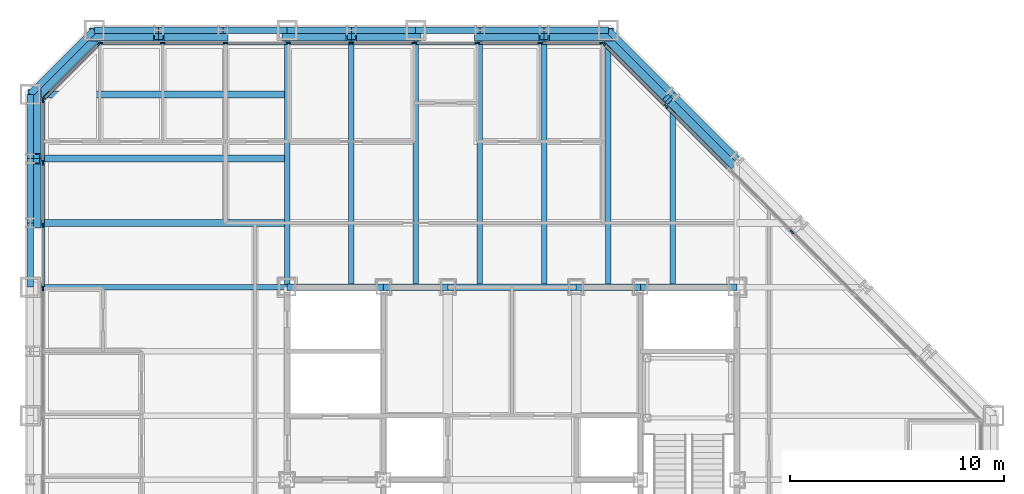
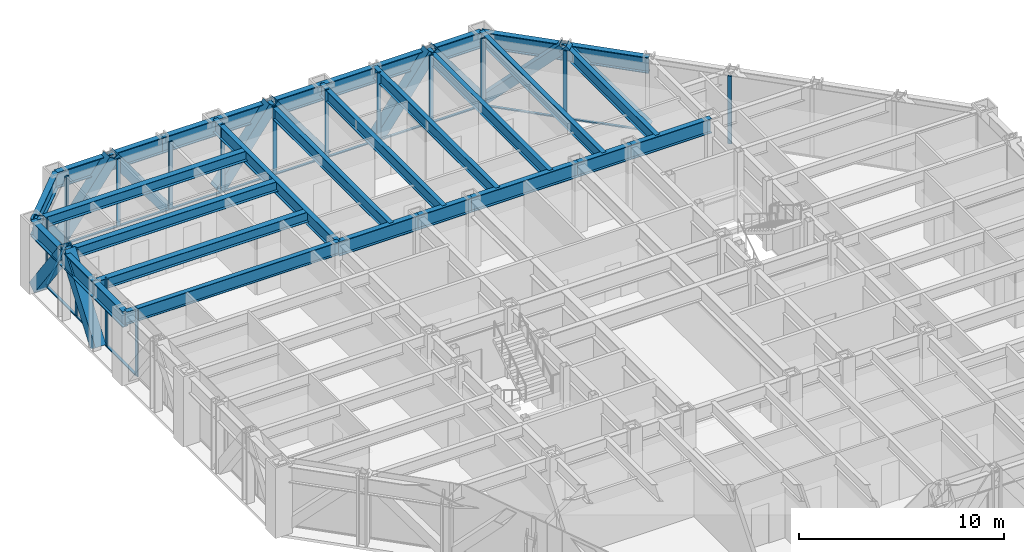
# One storey, part 7 of 16: 43 members, 30 beams, 4 elements without a shape of their own.
"""IFC4 building model written with IfcOpenShell, lengths in metres."""

from ifc_helpers import new_model, si_unit, direction, frame, origin, origin_2d, place, context, subcontext, project, spatial, rectangle, hollow_rectangle, i_section, extrude, material, layer, layer_set, material_profile, profile_set, type_object, element, aggregate, save


model = new_model("IFC4")

# Units and contexts
model_context = context("Model", 3, precision=1e-05, world=origin(), true_north=direction((0.0, 1.0)))
body_context = subcontext(model_context, "Body", "Model", "MODEL_VIEW")
ifc_project = project(units=[si_unit("LENGTHUNIT", "METRE"), si_unit("AREAUNIT", "SQUARE_METRE"), si_unit("VOLUMEUNIT", "CUBIC_METRE"), si_unit("PLANEANGLEUNIT", "RADIAN"), si_unit("MASSUNIT", "GRAM", prefix="KILO")], contexts=[model_context])

# Site, building, storey
site_placement = place(None, origin())
site = spatial("IfcSite", under=ifc_project, at=site_placement, CompositionType="ELEMENT")
building_placement = place(site_placement, origin())
building = spatial("IfcBuilding", under=site, at=building_placement, Name="Chuquiago Exchange Tower", CompositionType="ELEMENT")
storey_placement = place(building_placement, frame((0.0, 0.0, 111.0)))
storey = spatial("IfcBuildingStorey", under=building, at=storey_placement, Name="L23", CompositionType="ELEMENT", Elevation=111.0)

# Beams
ifc_material_1 = material(Name="Steel ASTM A992", Category="steel")
ifc_material_profile_1 = material_profile(ifc_material_1, i_section(OverallWidth=0.25390625, OverallDepth=0.683349609375, WebThickness=0.012451171875, FlangeThickness=0.018798828125, at=origin_2d()), Name="W27X94")
ifc_profile_set_1 = profile_set([ifc_material_profile_1], Name="Steel ASTM A992")
beam_type_1 = type_object("IfcBeamType", Name="B1 W27X94", PredefinedType="BEAM", material=ifc_profile_set_1)
for number, where, z_axis, x_axis, name in (
    (1, (15.0, 33.0, 3.698486328125), (0.0, 1.0, 0.0), (-1.0, 0.0, 0.0), "FB-L24-infill-15_33-15_45-0"),
    (2, (18.0, 33.0, 3.698486328125), (0.0, 1.0, 0.0), (-1.0, 0.0, 0.0), "FB-L24-infill-18_33-18_45-0"),
    (3, (21.0, 33.0, 3.698486328125), (0.0, 1.0, 0.0), (-1.0, 0.0, 0.0), "FB-L24-infill-21_33-21_45-0"),
    (4, (24.0, 33.0, 3.698486328125), (0.0, 1.0, 0.0), (-1.0, 0.0, 0.0), "FB-L24-infill-24_33-24_45-0"),
    (5, (27.0, 33.0, 3.698486328125), (0.0, 1.0, 0.0), (-1.0, 0.0, 0.0), "FB-L24-infill-27_33-27_45-0"),
):
    element("IfcBeam", number, at=place(storey_placement, frame(where, z_axis=z_axis, x_axis=x_axis)), inside=storey, type_object=beam_type_1, Name=name, PredefinedType="BEAM", context=body_context, shape_type="SweptSolid", body=[
        extrude(i_section(OverallWidth=0.25390625, OverallDepth=0.683349609375, WebThickness=0.012451171875, FlangeThickness=0.018798828125, at=origin_2d()), origin(), (0.0, 0.0, 1.0), 12.0),
    ])
beam_1_placement = place(storey_placement, frame((30.0, 33.0, 3.698486328125), z_axis=(0.0, 1.0, 0.0), x_axis=(-1.0, 0.0, 0.0)))
element("IfcBeam", 6, at=beam_1_placement, inside=storey, type_object=beam_type_1, Name="FB-L24-infill-30_33-30_42-0", PredefinedType="BEAM", context=body_context, shape_type="SweptSolid", body=[
    extrude(i_section(OverallWidth=0.25390625, OverallDepth=0.683349609375, WebThickness=0.012451171875, FlangeThickness=0.018798828125, at=origin_2d()), origin(), (0.0, 0.0, 1.0), 9.0),
])
ifc_material_2 = material(Name="Steel ASTM A992", Category="steel")
ifc_material_profile_2 = material_profile(ifc_material_2, i_section(OverallWidth=0.3251953125, OverallDepth=0.612060546875, WebThickness=0.0126953125, FlangeThickness=0.01904296875, at=origin_2d()), Name="W24X104")
ifc_profile_set_2 = profile_set([ifc_material_profile_2], Name="Steel ASTM A992")
beam_type_2 = type_object("IfcBeamType", Name="B2 W24X104", PredefinedType="BEAM", material=ifc_profile_set_2)
for number, where, z_axis, x_axis, name in (
    (7, (12.0, 36.0, 3.73388671875), (-1.0, 0.0, 0.0), (0.0, -1.0, 0.0), "FB-L24-corner-12_36--0_36-0"),
    (8, (12.0, 39.0, 3.73388671875), (-1.0, 0.0, 0.0), (0.0, -1.0, 0.0), "FB-L24-corner-12_39--0_39-0"),
    (9, (12.0, 42.0, 3.73388671875), (-1.0, 0.0, 0.0), (0.0, -1.0, 0.0), "FB-L24-corner-12_42--0_42-0"),
):
    element("IfcBeam", number, at=place(storey_placement, frame(where, z_axis=z_axis, x_axis=x_axis)), inside=storey, type_object=beam_type_2, Name=name, PredefinedType="BEAM", context=body_context, shape_type="SweptSolid", body=[
        extrude(i_section(OverallWidth=0.3251953125, OverallDepth=0.612060546875, WebThickness=0.0126953125, FlangeThickness=0.01904296875, at=origin_2d()), origin(), (0.0, 0.0, 1.0), 12.0),
    ])
ifc_material_3 = material(Name="Steel ASTM A992", Category="steel")
ifc_material_profile_3 = material_profile(ifc_material_3, i_section(OverallWidth=0.2919921875, OverallDepth=0.8583984375, WebThickness=0.01708984375, FlangeThickness=0.031005859375, at=origin_2d()), Name="W33X169")
ifc_profile_set_3 = profile_set([ifc_material_profile_3], Name="Steel ASTM A992")
beam_type_3 = type_object("IfcBeamType", Name="B3 W33X169", PredefinedType="BEAM", material=ifc_profile_set_3)
beam_2_placement = place(storey_placement, frame((12.0, 33.0, 3.610595703125), z_axis=(1.0, 0.0, 0.0), x_axis=(0.0, 1.0, 0.0)))
element("IfcBeam", 10, at=beam_2_placement, inside=storey, type_object=beam_type_3, Name="CB-L24-12_33-16.5_33", PredefinedType="BEAM", context=body_context, shape_type="SweptSolid", body=[
    extrude(i_section(OverallWidth=0.2919921875, OverallDepth=0.8583984375, WebThickness=0.01708984375, FlangeThickness=0.031005859375, at=origin_2d()), origin(), (0.0, 0.0, 1.0), 4.5),
])
beam_3_placement = place(storey_placement, frame((16.5, 33.0, 3.610595703125), z_axis=(1.0, 0.0, 0.0), x_axis=(0.0, 1.0, 0.0)))
element("IfcBeam", 11, at=beam_3_placement, inside=storey, type_object=beam_type_3, Name="CB-L24-16.5_33-19.5_33", PredefinedType="BEAM", context=body_context, shape_type="SweptSolid", body=[
    extrude(i_section(OverallWidth=0.2919921875, OverallDepth=0.8583984375, WebThickness=0.01708984375, FlangeThickness=0.031005859375, at=origin_2d()), origin(), (0.0, 0.0, 1.0), 3.0),
])
beam_4_placement = place(storey_placement, frame((19.5, 33.0, 3.610595703125), z_axis=(1.0, 0.0, 0.0), x_axis=(0.0, 1.0, 0.0)))
element("IfcBeam", 12, at=beam_4_placement, inside=storey, type_object=beam_type_3, Name="CB-L24-19.5_33-25.5_33", PredefinedType="BEAM", context=body_context, shape_type="SweptSolid", body=[
    extrude(i_section(OverallWidth=0.2919921875, OverallDepth=0.8583984375, WebThickness=0.01708984375, FlangeThickness=0.031005859375, at=origin_2d()), origin(), (0.0, 0.0, 1.0), 6.0),
])
beam_5_placement = place(storey_placement, frame((25.5, 33.0, 3.610595703125), z_axis=(1.0, 0.0, 0.0), x_axis=(0.0, 1.0, 0.0)))
element("IfcBeam", 13, at=beam_5_placement, inside=storey, type_object=beam_type_3, Name="CB-L24-25.5_33-28.5_33", PredefinedType="BEAM", context=body_context, shape_type="SweptSolid", body=[
    extrude(i_section(OverallWidth=0.2919921875, OverallDepth=0.8583984375, WebThickness=0.01708984375, FlangeThickness=0.031005859375, at=origin_2d()), origin(), (0.0, 0.0, 1.0), 3.0),
])
beam_6_placement = place(storey_placement, frame((28.5, 33.0, 3.610595703125), z_axis=(1.0, 0.0, 0.0), x_axis=(0.0, 1.0, 0.0)))
element("IfcBeam", 14, at=beam_6_placement, inside=storey, type_object=beam_type_3, Name="CB-L24-28.5_33-33_33", PredefinedType="BEAM", context=body_context, shape_type="SweptSolid", body=[
    extrude(i_section(OverallWidth=0.2919921875, OverallDepth=0.8583984375, WebThickness=0.01708984375, FlangeThickness=0.031005859375, at=origin_2d()), origin(), (0.0, 0.0, 1.0), 4.5),
])

# Curtain wall, members
ifc_material_4 = material(Name="Aluminium curtain wall system", Category="aluminium")
ifc_layer_1 = layer(ifc_material_4, 0.22509765625)
ifc_layer_set_1 = layer_set([ifc_layer_1], Name="CW2 office curtain wall")
curtain_wall_type_1 = type_object("IfcCurtainWallType", Name="CW2 office curtain wall", PredefinedType="NOTDEFINED", material=ifc_layer_set_1)
curtain_wall_1_placement = place(storey_placement, origin())
curtain_wall_1 = element("IfcCurtainWall", 15, at=curtain_wall_1_placement, inside=storey, type_object=curtain_wall_type_1, Name="CW2 curtain wall L23", PredefinedType="NOTDEFINED")
ifc_material_5 = material(Name="Aluminium mullion, pale anodised", Category="aluminium")
ifc_material_profile_4 = material_profile(ifc_material_5, rectangle(XDim=0.06494140625, YDim=0.22509765625, at=origin_2d()), Name="AL 65x225")
ifc_profile_set_4 = profile_set([ifc_material_profile_4], Name="Aluminium mullion, pale anodised")
member_type_1 = type_object("IfcMemberType", Name="CW2-M mullion 65x225", PredefinedType="MULLION", material=ifc_profile_set_4)
member_1_placement = place(storey_placement, frame((26.718994140625, 44.39990234375, 0.0), z_axis=(0.0, 0.0, 1.0), x_axis=(0.0, -1.0, 0.0)))
member_1 = element("IfcMember", 16, at=member_1_placement, type_object=member_type_1, Name="CW2 mullion 1", PredefinedType="MULLION", context=body_context, shape_type="SweptSolid", body=[
    extrude(rectangle(XDim=0.06494140625, YDim=0.22509765625, at=origin_2d()), origin(), (0.0, 0.0, 1.0), 4.0400390625),
])
member_2_placement = place(storey_placement, frame((23.813720703125, 44.39990234375, 0.0), z_axis=(0.0, 0.0, 1.0), x_axis=(0.0, -1.0, 0.0)))
member_2 = element("IfcMember", 17, at=member_2_placement, type_object=member_type_1, Name="CW2 mullion 2", PredefinedType="MULLION", context=body_context, shape_type="SweptSolid", body=[
    extrude(rectangle(XDim=0.06494140625, YDim=0.22509765625, at=origin_2d()), origin(), (0.0, 0.0, 1.0), 4.0400390625),
])
member_3_placement = place(storey_placement, frame((20.875732421875, 44.39990234375, 0.0), z_axis=(0.0, 0.0, 1.0), x_axis=(0.0, -1.0, 0.0)))
member_3 = element("IfcMember", 18, at=member_3_placement, type_object=member_type_1, Name="CW2 mullion 3", PredefinedType="MULLION", context=body_context, shape_type="SweptSolid", body=[
    extrude(rectangle(XDim=0.06494140625, YDim=0.22509765625, at=origin_2d()), origin(), (0.0, 0.0, 1.0), 4.0400390625),
])
member_4_placement = place(storey_placement, frame((17.93798828125, 44.39990234375, 0.0), z_axis=(0.0, 0.0, 1.0), x_axis=(0.0, -1.0, 0.0)))
member_4 = element("IfcMember", 19, at=member_4_placement, type_object=member_type_1, Name="CW2 mullion 4", PredefinedType="MULLION", context=body_context, shape_type="SweptSolid", body=[
    extrude(rectangle(XDim=0.06494140625, YDim=0.22509765625, at=origin_2d()), origin(), (0.0, 0.0, 1.0), 4.0400390625),
])
member_5_placement = place(storey_placement, frame((15.0, 44.39990234375, 0.0), z_axis=(0.0, 0.0, 1.0), x_axis=(0.0, -1.0, 0.0)))
member_5 = element("IfcMember", 20, at=member_5_placement, type_object=member_type_1, Name="CW2 mullion 5", PredefinedType="MULLION", context=body_context, shape_type="SweptSolid", body=[
    extrude(rectangle(XDim=0.06494140625, YDim=0.22509765625, at=origin_2d()), origin(), (0.0, 0.0, 1.0), 4.0400390625),
])
member_6_placement = place(storey_placement, frame((12.06201171875, 44.39990234375, 0.0), z_axis=(0.0, 0.0, 1.0), x_axis=(0.0, -1.0, 0.0)))
member_6 = element("IfcMember", 21, at=member_6_placement, type_object=member_type_1, Name="CW2 mullion 6", PredefinedType="MULLION", context=body_context, shape_type="SweptSolid", body=[
    extrude(rectangle(XDim=0.06494140625, YDim=0.22509765625, at=origin_2d()), origin(), (0.0, 0.0, 1.0), 4.0400390625),
])
member_7_placement = place(storey_placement, frame((9.124267578125, 44.39990234375, 0.0), z_axis=(0.0, 0.0, 1.0), x_axis=(0.0, -1.0, 0.0)))
member_7 = element("IfcMember", 22, at=member_7_placement, type_object=member_type_1, Name="CW2 mullion 7", PredefinedType="MULLION", context=body_context, shape_type="SweptSolid", body=[
    extrude(rectangle(XDim=0.06494140625, YDim=0.22509765625, at=origin_2d()), origin(), (0.0, 0.0, 1.0), 4.0400390625),
])
member_8_placement = place(storey_placement, frame((6.186279296875, 44.39990234375, 0.0), z_axis=(0.0, 0.0, 1.0), x_axis=(0.0, -1.0, 0.0)))
member_8 = element("IfcMember", 23, at=member_8_placement, type_object=member_type_1, Name="CW2 mullion 8", PredefinedType="MULLION", context=body_context, shape_type="SweptSolid", body=[
    extrude(rectangle(XDim=0.06494140625, YDim=0.22509765625, at=origin_2d()), origin(), (0.0, 0.0, 1.0), 4.0400390625),
])
member_9_placement = place(storey_placement, frame((3.281005859375, 44.39990234375, 0.0), z_axis=(0.0, 0.0, 1.0), x_axis=(0.0, -1.0, 0.0)))
member_9 = element("IfcMember", 24, at=member_9_placement, type_object=member_type_1, Name="CW2 mullion 9", PredefinedType="MULLION", context=body_context, shape_type="SweptSolid", body=[
    extrude(rectangle(XDim=0.06494140625, YDim=0.22509765625, at=origin_2d()), origin(), (0.0, 0.0, 1.0), 4.0400390625),
])

curtain_wall_2_placement = place(storey_placement, origin())
curtain_wall_2 = element("IfcCurtainWall", 25, at=curtain_wall_2_placement, inside=storey, type_object=curtain_wall_type_1, Name="CW2 curtain wall L23", PredefinedType="NOTDEFINED")
member_10_placement = place(storey_placement, frame((0.60009765625, 41.718994140625, 0.0), z_axis=(0.0, 0.0, 1.0), x_axis=(1.0, 0.0, 0.0)))
member_10 = element("IfcMember", 26, at=member_10_placement, type_object=member_type_1, Name="CW2 mullion 1", PredefinedType="MULLION", context=body_context, shape_type="SweptSolid", body=[
    extrude(rectangle(XDim=0.06494140625, YDim=0.22509765625, at=origin_2d()), origin(), (0.0, 0.0, 1.0), 4.0400390625),
])
member_11_placement = place(storey_placement, frame((0.60009765625, 38.813720703125, 0.0), z_axis=(0.0, 0.0, 1.0), x_axis=(1.0, 0.0, 0.0)))
member_11 = element("IfcMember", 27, at=member_11_placement, type_object=member_type_1, Name="CW2 mullion 2", PredefinedType="MULLION", context=body_context, shape_type="SweptSolid", body=[
    extrude(rectangle(XDim=0.06494140625, YDim=0.22509765625, at=origin_2d()), origin(), (0.0, 0.0, 1.0), 4.0400390625),
])
member_12_placement = place(storey_placement, frame((0.60009765625, 35.875732421875, 0.0), z_axis=(0.0, 0.0, 1.0), x_axis=(1.0, 0.0, 0.0)))
member_12 = element("IfcMember", 28, at=member_12_placement, type_object=member_type_1, Name="CW2 mullion 3", PredefinedType="MULLION", context=body_context, shape_type="SweptSolid", body=[
    extrude(rectangle(XDim=0.06494140625, YDim=0.22509765625, at=origin_2d()), origin(), (0.0, 0.0, 1.0), 4.0400390625),
])
member_13_placement = place(storey_placement, frame((0.60009765625, 32.93798828125, 0.0), z_axis=(0.0, 0.0, 1.0), x_axis=(1.0, 0.0, 0.0)))
member_13 = element("IfcMember", 29, at=member_13_placement, type_object=member_type_1, Name="CW2 mullion 4", PredefinedType="MULLION", context=body_context, shape_type="SweptSolid", body=[
    extrude(rectangle(XDim=0.06494140625, YDim=0.22509765625, at=origin_2d()), origin(), (0.0, 0.0, 1.0), 4.0400390625),
])

# Member
ifc_material_6 = material(Name="Aluminium transom, pale anodised", Category="aluminium")
ifc_material_profile_5 = material_profile(ifc_material_6, rectangle(XDim=0.139892578125, YDim=0.06494140625, at=origin_2d()), Name="AL 140x65")
ifc_profile_set_5 = profile_set([ifc_material_profile_5], Name="Aluminium transom, pale anodised")
member_type_2 = type_object("IfcMemberType", Name="CW2-T transom 65x140", PredefinedType="MULLION", material=ifc_profile_set_5)
member_14_placement = place(storey_placement, frame((26.6865234375, 44.39990234375, 0.032470703125), z_axis=(-1.0, 0.0, 0.0), x_axis=(0.0, -1.0, 0.0)))
member_14 = element("IfcMember", 30, at=member_14_placement, type_object=member_type_2, Name="CW2 transom 1.1", PredefinedType="MULLION", context=body_context, shape_type="SweptSolid", body=[
    extrude(rectangle(XDim=0.139892578125, YDim=0.06494140625, at=origin_2d()), origin(), (0.0, 0.0, 1.0), 2.84033203125),
])

member_15_placement = place(storey_placement, frame((23.781005859375, 44.39990234375, 0.032470703125), z_axis=(-1.0, 0.0, 0.0), x_axis=(0.0, -1.0, 0.0)))
member_15 = element("IfcMember", 31, at=member_15_placement, type_object=member_type_2, Name="CW2 transom 2.1", PredefinedType="MULLION", context=body_context, shape_type="SweptSolid", body=[
    extrude(rectangle(XDim=0.139892578125, YDim=0.06494140625, at=origin_2d()), origin(), (0.0, 0.0, 1.0), 2.872802734375),
])

member_16_placement = place(storey_placement, frame((20.84326171875, 44.39990234375, 0.032470703125), z_axis=(-1.0, 0.0, 0.0), x_axis=(0.0, -1.0, 0.0)))
member_16 = element("IfcMember", 32, at=member_16_placement, type_object=member_type_2, Name="CW2 transom 3.1", PredefinedType="MULLION", context=body_context, shape_type="SweptSolid", body=[
    extrude(rectangle(XDim=0.139892578125, YDim=0.06494140625, at=origin_2d()), origin(), (0.0, 0.0, 1.0), 2.872802734375),
])

member_17_placement = place(storey_placement, frame((17.9052734375, 44.39990234375, 0.032470703125), z_axis=(-1.0, 0.0, 0.0), x_axis=(0.0, -1.0, 0.0)))
member_17 = element("IfcMember", 33, at=member_17_placement, type_object=member_type_2, Name="CW2 transom 4.1", PredefinedType="MULLION", context=body_context, shape_type="SweptSolid", body=[
    extrude(rectangle(XDim=0.139892578125, YDim=0.06494140625, at=origin_2d()), origin(), (0.0, 0.0, 1.0), 2.872802734375),
])

member_18_placement = place(storey_placement, frame((14.967529296875, 44.39990234375, 0.032470703125), z_axis=(-1.0, 0.0, 0.0), x_axis=(0.0, -1.0, 0.0)))
member_18 = element("IfcMember", 34, at=member_18_placement, type_object=member_type_2, Name="CW2 transom 5.1", PredefinedType="MULLION", context=body_context, shape_type="SweptSolid", body=[
    extrude(rectangle(XDim=0.139892578125, YDim=0.06494140625, at=origin_2d()), origin(), (0.0, 0.0, 1.0), 2.872802734375),
])

member_19_placement = place(storey_placement, frame((12.029541015625, 44.39990234375, 0.032470703125), z_axis=(-1.0, 0.0, 0.0), x_axis=(0.0, -1.0, 0.0)))
member_19 = element("IfcMember", 35, at=member_19_placement, type_object=member_type_2, Name="CW2 transom 6.1", PredefinedType="MULLION", context=body_context, shape_type="SweptSolid", body=[
    extrude(rectangle(XDim=0.139892578125, YDim=0.06494140625, at=origin_2d()), origin(), (0.0, 0.0, 1.0), 2.872802734375),
])

member_20_placement = place(storey_placement, frame((9.091796875, 44.39990234375, 0.032470703125), z_axis=(-1.0, 0.0, 0.0), x_axis=(0.0, -1.0, 0.0)))
member_20 = element("IfcMember", 36, at=member_20_placement, type_object=member_type_2, Name="CW2 transom 7.1", PredefinedType="MULLION", context=body_context, shape_type="SweptSolid", body=[
    extrude(rectangle(XDim=0.139892578125, YDim=0.06494140625, at=origin_2d()), origin(), (0.0, 0.0, 1.0), 2.872802734375),
])

member_21_placement = place(storey_placement, frame((6.15380859375, 44.39990234375, 0.032470703125), z_axis=(-1.0, 0.0, 0.0), x_axis=(0.0, -1.0, 0.0)))
member_21 = element("IfcMember", 37, at=member_21_placement, type_object=member_type_2, Name="CW2 transom 8.1", PredefinedType="MULLION", context=body_context, shape_type="SweptSolid", body=[
    extrude(rectangle(XDim=0.139892578125, YDim=0.06494140625, at=origin_2d()), origin(), (0.0, 0.0, 1.0), 2.84033203125),
])

aggregate(curtain_wall_1, [member_1, member_2, member_3, member_4, member_5, member_6, member_7, member_8, member_9, member_14, member_15, member_16, member_17, member_18, member_19, member_20, member_21])

member_22_placement = place(storey_placement, frame((0.60009765625, 41.6865234375, 0.032470703125), z_axis=(0.0, -1.0, 0.0), x_axis=(1.0, 0.0, 0.0)))
member_22 = element("IfcMember", 38, at=member_22_placement, type_object=member_type_2, Name="CW2 transom 1.1", PredefinedType="MULLION", context=body_context, shape_type="SweptSolid", body=[
    extrude(rectangle(XDim=0.139892578125, YDim=0.06494140625, at=origin_2d()), origin(), (0.0, 0.0, 1.0), 2.84033203125),
])

member_23_placement = place(storey_placement, frame((0.60009765625, 38.781005859375, 0.032470703125), z_axis=(0.0, -1.0, 0.0), x_axis=(1.0, 0.0, 0.0)))
member_23 = element("IfcMember", 39, at=member_23_placement, type_object=member_type_2, Name="CW2 transom 2.1", PredefinedType="MULLION", context=body_context, shape_type="SweptSolid", body=[
    extrude(rectangle(XDim=0.139892578125, YDim=0.06494140625, at=origin_2d()), origin(), (0.0, 0.0, 1.0), 2.872802734375),
])

member_24_placement = place(storey_placement, frame((0.60009765625, 35.84326171875, 0.032470703125), z_axis=(0.0, -1.0, 0.0), x_axis=(1.0, 0.0, 0.0)))
member_24 = element("IfcMember", 40, at=member_24_placement, type_object=member_type_2, Name="CW2 transom 3.1", PredefinedType="MULLION", context=body_context, shape_type="SweptSolid", body=[
    extrude(rectangle(XDim=0.139892578125, YDim=0.06494140625, at=origin_2d()), origin(), (0.0, 0.0, 1.0), 2.872802734375),
])

aggregate(curtain_wall_2, [member_10, member_11, member_12, member_13, member_22, member_23, member_24])

# Curtain wall, members
ifc_material_7 = material(Name="Aluminium curtain wall system", Category="aluminium")
ifc_layer_2 = layer(ifc_material_7, 0.199951171875)
ifc_layer_set_2 = layer_set([ifc_layer_2], Name="CW3 facet curtain wall")
curtain_wall_type_2 = type_object("IfcCurtainWallType", Name="CW3 facet curtain wall", PredefinedType="NOTDEFINED", material=ifc_layer_set_2)
curtain_wall_3_placement = place(storey_placement, origin())
curtain_wall_3 = element("IfcCurtainWall", 41, at=curtain_wall_3_placement, inside=storey, type_object=curtain_wall_type_2, Name="CW3 curtain wall L23", PredefinedType="NOTDEFINED")
ifc_material_8 = material(Name="Aluminium mullion, pale anodised", Category="aluminium")
ifc_material_profile_6 = material_profile(ifc_material_8, rectangle(XDim=0.06494140625, YDim=0.199951171875, at=origin_2d()), Name="AL 65x200")
ifc_profile_set_6 = profile_set([ifc_material_profile_6], Name="Aluminium mullion, pale anodised")
member_type_3 = type_object("IfcMemberType", Name="CW3-M mullion 65x200", PredefinedType="MULLION", material=ifc_profile_set_6)
member_25_placement = place(storey_placement, frame((35.57568359375, 35.57568359375, 0.0), z_axis=(0.0, 0.0, 1.0), x_axis=(-0.707106781187, -0.707106781187, 0.0)))
member_25 = element("IfcMember", 42, at=member_25_placement, type_object=member_type_3, Name="CW3 mullion 4", PredefinedType="MULLION", context=body_context, shape_type="SweptSolid", body=[
    extrude(rectangle(XDim=0.06494140625, YDim=0.199951171875, at=origin_2d()), origin(), (0.0, 0.0, 1.0), 4.0400390625),
])
member_26_placement = place(storey_placement, frame((29.69287109375, 41.45849609375, 0.0), z_axis=(0.0, 0.0, 1.0), x_axis=(-0.707106781187, -0.707106781187, 0.0)))
member_26 = element("IfcMember", 43, at=member_26_placement, type_object=member_type_3, Name="CW3 mullion 6", PredefinedType="MULLION", context=body_context, shape_type="SweptSolid", body=[
    extrude(rectangle(XDim=0.06494140625, YDim=0.199951171875, at=origin_2d()), origin(), (0.0, 0.0, 1.0), 4.0400390625),
])
member_27_placement = place(storey_placement, frame((26.7744140625, 44.376953125, 0.0), z_axis=(0.0, 0.0, 1.0), x_axis=(-0.707106781187, -0.707106781187, 0.0)))
member_27 = element("IfcMember", 44, at=member_27_placement, type_object=member_type_3, Name="CW3 mullion 7", PredefinedType="MULLION", context=body_context, shape_type="SweptSolid", body=[
    extrude(rectangle(XDim=0.06494140625, YDim=0.199951171875, at=origin_2d()), origin(), (0.0, 0.0, 1.0), 4.0400390625),
])

curtain_wall_4_placement = place(storey_placement, origin())
curtain_wall_4 = element("IfcCurtainWall", 45, at=curtain_wall_4_placement, inside=storey, type_object=curtain_wall_type_2, Name="CW3 curtain wall L23", PredefinedType="NOTDEFINED")
member_28_placement = place(storey_placement, frame((3.2255859375, 44.376953125, 0.0), z_axis=(0.0, 0.0, 1.0), x_axis=(0.707106781187, -0.707106781187, 0.0)))
member_28 = element("IfcMember", 46, at=member_28_placement, type_object=member_type_3, Name="CW3 mullion 1", PredefinedType="MULLION", context=body_context, shape_type="SweptSolid", body=[
    extrude(rectangle(XDim=0.06494140625, YDim=0.199951171875, at=origin_2d()), origin(), (0.0, 0.0, 1.0), 4.0400390625),
])
member_29_placement = place(storey_placement, frame((0.623046875, 41.7744140625, 0.0), z_axis=(0.0, 0.0, 1.0), x_axis=(0.707106781187, -0.707106781187, 0.0)))
member_29 = element("IfcMember", 47, at=member_29_placement, type_object=member_type_3, Name="CW3 mullion 2", PredefinedType="MULLION", context=body_context, shape_type="SweptSolid", body=[
    extrude(rectangle(XDim=0.06494140625, YDim=0.199951171875, at=origin_2d()), origin(), (0.0, 0.0, 1.0), 4.0400390625),
])

# Member
ifc_material_9 = material(Name="Aluminium transom, pale anodised", Category="aluminium")
ifc_material_profile_7 = material_profile(ifc_material_9, rectangle(XDim=0.139892578125, YDim=0.06494140625, at=origin_2d()), Name="AL 140x65")
ifc_profile_set_7 = profile_set([ifc_material_profile_7], Name="Aluminium transom, pale anodised")
member_type_4 = type_object("IfcMemberType", Name="CW3-T transom 65x140", PredefinedType="MULLION", material=ifc_profile_set_7)
member_30_placement = place(storey_placement, frame((32.611328125, 38.5400390625, 0.032470703125), z_axis=(-0.707106781187, 0.707106781187, 0.0), x_axis=(-0.707106781187, -0.707106781187, 0.0)))
member_30 = element("IfcMember", 48, at=member_30_placement, type_object=member_type_4, Name="CW3 transom 5.1", PredefinedType="MULLION", context=body_context, shape_type="SweptSolid", body=[
    extrude(rectangle(XDim=0.139892578125, YDim=0.06494140625, at=origin_2d()), origin(), (0.0, 0.0, 1.0), 4.094970703125),
])

member_31_placement = place(storey_placement, frame((29.669921875, 41.4814453125, 0.032470703125), z_axis=(-0.707106781187, 0.707106781187, 0.0), x_axis=(-0.707106781187, -0.707106781187, 0.0)))
member_31 = element("IfcMember", 49, at=member_31_placement, type_object=member_type_4, Name="CW3 transom 6.1", PredefinedType="MULLION", context=body_context, shape_type="SweptSolid", body=[
    extrude(rectangle(XDim=0.139892578125, YDim=0.06494140625, at=origin_2d()), origin(), (0.0, 0.0, 1.0), 4.0625),
])

aggregate(curtain_wall_3, [member_25, member_26, member_27, member_30, member_31])

member_32_placement = place(storey_placement, frame((3.20263671875, 44.35400390625, 0.032470703125), z_axis=(-0.707106781187, -0.707106781187, 0.0), x_axis=(0.707106781187, -0.707106781187, 0.0)))
member_32 = element("IfcMember", 50, at=member_32_placement, type_object=member_type_4, Name="CW3 transom 1.1", PredefinedType="MULLION", context=body_context, shape_type="SweptSolid", body=[
    extrude(rectangle(XDim=0.139892578125, YDim=0.06494140625, at=origin_2d()), origin(), (0.0, 0.0, 1.0), 3.61572265625),
])

aggregate(curtain_wall_4, [member_28, member_29, member_32])

# Beams
ifc_material_10 = material(Name="Steel ASTM A992", Category="steel")
ifc_material_profile_8 = material_profile(ifc_material_10, i_section(OverallWidth=0.2666015625, OverallDepth=0.76953125, WebThickness=0.015625, FlangeThickness=0.025390625, at=origin_2d()), Name="W30X132")
ifc_profile_set_8 = profile_set([ifc_material_profile_8], Name="Steel ASTM A992")
beam_type_4 = type_object("IfcBeamType", Name="G1 W30X132", PredefinedType="BEAM", material=ifc_profile_set_8)
for number, where, z_axis, x_axis, name in (
    (51, (12.0, 33.0, 3.6552734375), (0.0, 1.0, 0.0), (-1.0, 0.0, 0.0), "FB-L24-girder-12_33-12_45-0"),
    (52, (12.0, 33.0, 3.6552734375), (-1.0, 0.0, 0.0), (0.0, -1.0, 0.0), "FB-L24-girder-12_33--0_33-0"),
):
    element("IfcBeam", number, at=place(storey_placement, frame(where, z_axis=z_axis, x_axis=x_axis)), inside=storey, type_object=beam_type_4, Name=name, PredefinedType="BEAM", context=body_context, shape_type="SweptSolid", body=[
        extrude(i_section(OverallWidth=0.2666015625, OverallDepth=0.76953125, WebThickness=0.015625, FlangeThickness=0.025390625, at=origin_2d()), origin(), (0.0, 0.0, 1.0), 12.0),
    ])

# Members
ifc_material_11 = material(Name="Steel ASTM A500 Grade C", Category="steel")
ifc_material_profile_9 = material_profile(ifc_material_11, hollow_rectangle(XDim=0.508056640625, YDim=0.508056640625, WallThickness=0.017822265625, at=origin_2d()), Name="HSS20X20X3/4")
ifc_profile_set_9 = profile_set([ifc_material_profile_9], Name="Steel ASTM A500 Grade C")
member_type_5 = type_object("IfcMemberType", Name="LB1 HSS20X20X3/4", PredefinedType="BRACE", material=ifc_profile_set_9)
for number, where, z_axis, x_axis, name in (
    (53, (32.822509765625, 38.822509765625, 0.0), (-0.512077265487, 0.512077265487, 0.689604051861), (-0.707106781187, -0.707106781187, 0.0), "LB-L23-33_39-30_42"),
    (54, (26.822509765625, 44.822509765625, 0.0), (0.512077265487, -0.512077265487, 0.689604051861), (0.707106781187, 0.707106781187, 0.0), "LB-L23-30_42-27_45"),
    (55, (3.177490234375, 44.822509765625, 0.0), (-0.512077265487, -0.512077265487, 0.689604051861), (0.707106781187, -0.707106781187, 0.0), "LB-L23-3_45-0_42"),
):
    element("IfcMember", number, at=place(storey_placement, frame(where, z_axis=z_axis, x_axis=x_axis)), inside=storey, type_object=member_type_5, Name=name, PredefinedType="BRACE", context=body_context, shape_type="SweptSolid", body=[
        extrude(hollow_rectangle(XDim=0.508056640625, YDim=0.508056640625, WallThickness=0.017822265625, at=origin_2d()), origin(), (0.0, 0.0, 1.0), 5.8583984375),
    ])
ifc_material_12 = material(Name="Steel ASTM A572 Grade 50", Category="steel")
ifc_material_profile_10 = material_profile(ifc_material_12, hollow_rectangle(XDim=0.60009765625, YDim=0.60009765625, WallThickness=0.06005859375, at=origin_2d()), Name="BOX600X600X60")
ifc_profile_set_10 = profile_set([ifc_material_profile_10], Name="Steel ASTM A572 Grade 50")
member_type_6 = type_object("IfcMemberType", Name="MB2 BOX600X600X60", PredefinedType="BRACE", material=ifc_profile_set_10)
for number, where, z_axis, x_axis, name in (
    (56, (27.0, 44.794921875, 0.0), (-0.596173923302, 0.0, 0.802855312728), (0.0, -1.0, 0.0), "Mega diagonal L23 N face"),
    (57, (21.0, 44.794921875, 0.0), (0.596173923302, 0.0, 0.802855312728), (0.0, 1.0, 0.0), "Mega diagonal L23 N face"),
    (58, (18.0, 44.794921875, 0.0), (-0.596173923302, 0.0, 0.802855312728), (0.0, -1.0, 0.0), "Mega diagonal L23 N face"),
    (59, (12.0, 44.794921875, 0.0), (0.596173923302, 0.0, 0.802855312728), (0.0, 1.0, 0.0), "Mega diagonal L23 N face"),
    (60, (9.0, 44.794921875, 0.0), (-0.596173923302, 0.0, 0.802855312728), (0.0, -1.0, 0.0), "Mega diagonal L23 N face"),
    (61, (3.0, 44.794921875, 0.0), (0.596173923302, 0.0, 0.802855312728), (0.0, 1.0, 0.0), "Mega diagonal L23 N face"),
    (62, (0.205078125, 42.0, 0.0), (0.0, -0.596173923302, 0.802855312728), (1.0, 0.0, 0.0), "Mega diagonal L23 W face"),
    (63, (0.205078125, 36.0, 0.0), (0.0, 0.596173923302, 0.802855312728), (-1.0, 0.0, 0.0), "Mega diagonal L23 W face"),
):
    element("IfcMember", number, at=place(storey_placement, frame(where, z_axis=z_axis, x_axis=x_axis)), inside=storey, type_object=member_type_6, Name=name, PredefinedType="BRACE", context=body_context, shape_type="SweptSolid", body=[
        extrude(hollow_rectangle(XDim=0.60009765625, YDim=0.60009765625, WallThickness=0.06005859375, at=origin_2d()), origin(), (0.0, 0.0, 1.0), 5.031982421875),
    ])

# Beams
ifc_material_13 = material(Name="Steel ASTM A992", Category="steel")
ifc_material_profile_11 = material_profile(ifc_material_13, i_section(OverallWidth=0.309814453125, OverallDepth=0.949951171875, WebThickness=0.0244140625, FlangeThickness=0.0439453125, at=origin_2d()), Name="W36X256")
ifc_profile_set_11 = profile_set([ifc_material_profile_11], Name="Steel ASTM A992")
beam_type_5 = type_object("IfcBeamType", Name="SP2 W36X256", PredefinedType="SPANDREL", material=ifc_profile_set_11)
for number, where, z_axis, x_axis, name in (
    (64, (33.0, 39.0, 3.56494140625), (-0.707106781187, 0.707106781187, 0.0), (-0.707106781187, -0.707106781187, 0.0), "SPB-L24-33_39-30_42"),
    (65, (30.0, 42.0, 3.56494140625), (-0.707106781187, 0.707106781187, 0.0), (-0.707106781187, -0.707106781187, 0.0), "SPB-L24-30_42-27_45"),
):
    element("IfcBeam", number, at=place(storey_placement, frame(where, z_axis=z_axis, x_axis=x_axis)), inside=storey, type_object=beam_type_5, Name=name, PredefinedType="SPANDREL", context=body_context, shape_type="SweptSolid", body=[
        extrude(i_section(OverallWidth=0.309814453125, OverallDepth=0.949951171875, WebThickness=0.0244140625, FlangeThickness=0.0439453125, at=origin_2d()), origin(), (0.0, 0.0, 1.0), 4.24267578125),
    ])
for number, where, z_axis, x_axis, name in (
    (66, (27.0, 45.0, 3.56494140625), (-1.0, 0.0, 0.0), (0.0, -1.0, 0.0), "SPB-L24-27_45-24_45"),
    (67, (24.0, 45.0, 3.56494140625), (-1.0, 0.0, 0.0), (0.0, -1.0, 0.0), "SPB-L24-24_45-21_45"),
    (68, (21.0, 45.0, 3.56494140625), (-1.0, 0.0, 0.0), (0.0, -1.0, 0.0), "SPB-L24-21_45-18_45"),
    (69, (18.0, 45.0, 3.56494140625), (-1.0, 0.0, 0.0), (0.0, -1.0, 0.0), "SPB-L24-18_45-15_45"),
    (70, (15.0, 45.0, 3.56494140625), (-1.0, 0.0, 0.0), (0.0, -1.0, 0.0), "SPB-L24-15_45-12_45"),
    (71, (12.0, 45.0, 3.56494140625), (-1.0, 0.0, 0.0), (0.0, -1.0, 0.0), "SPB-L24-12_45-9_45"),
    (72, (9.0, 45.0, 3.56494140625), (-1.0, 0.0, 0.0), (0.0, -1.0, 0.0), "SPB-L24-9_45-6_45"),
    (73, (6.0, 45.0, 3.56494140625), (-1.0, 0.0, 0.0), (0.0, -1.0, 0.0), "SPB-L24-6_45-3_45"),
):
    element("IfcBeam", number, at=place(storey_placement, frame(where, z_axis=z_axis, x_axis=x_axis)), inside=storey, type_object=beam_type_5, Name=name, PredefinedType="SPANDREL", context=body_context, shape_type="SweptSolid", body=[
        extrude(i_section(OverallWidth=0.309814453125, OverallDepth=0.949951171875, WebThickness=0.0244140625, FlangeThickness=0.0439453125, at=origin_2d()), origin(), (0.0, 0.0, 1.0), 3.0),
    ])
beam_7_placement = place(storey_placement, frame((3.0, 45.0, 3.56494140625), z_axis=(-0.707106781187, -0.707106781187, 0.0), x_axis=(0.707106781187, -0.707106781187, 0.0)))
element("IfcBeam", 74, at=beam_7_placement, inside=storey, type_object=beam_type_5, Name="SPB-L24-3_45-0_42", PredefinedType="SPANDREL", context=body_context, shape_type="SweptSolid", body=[
    extrude(i_section(OverallWidth=0.309814453125, OverallDepth=0.949951171875, WebThickness=0.0244140625, FlangeThickness=0.0439453125, at=origin_2d()), origin(), (0.0, 0.0, 1.0), 4.24267578125),
])
for number, where, z_axis, x_axis, name in (
    (75, (0.0, 42.0, 3.56494140625), (0.0, -1.0, 0.0), (1.0, 0.0, 0.0), "SPB-L24-0_42-0_39"),
    (76, (0.0, 39.0, 3.56494140625), (0.0, -1.0, 0.0), (1.0, 0.0, 0.0), "SPB-L24-0_39-0_36"),
    (77, (0.0, 36.0, 3.56494140625), (0.0, -1.0, 0.0), (1.0, 0.0, 0.0), "SPB-L24-0_36-0_33"),
):
    element("IfcBeam", number, at=place(storey_placement, frame(where, z_axis=z_axis, x_axis=x_axis)), inside=storey, type_object=beam_type_5, Name=name, PredefinedType="SPANDREL", context=body_context, shape_type="SweptSolid", body=[
        extrude(i_section(OverallWidth=0.309814453125, OverallDepth=0.949951171875, WebThickness=0.0244140625, FlangeThickness=0.0439453125, at=origin_2d()), origin(), (0.0, 0.0, 1.0), 3.0),
    ])

save(model, "model.ifc")
